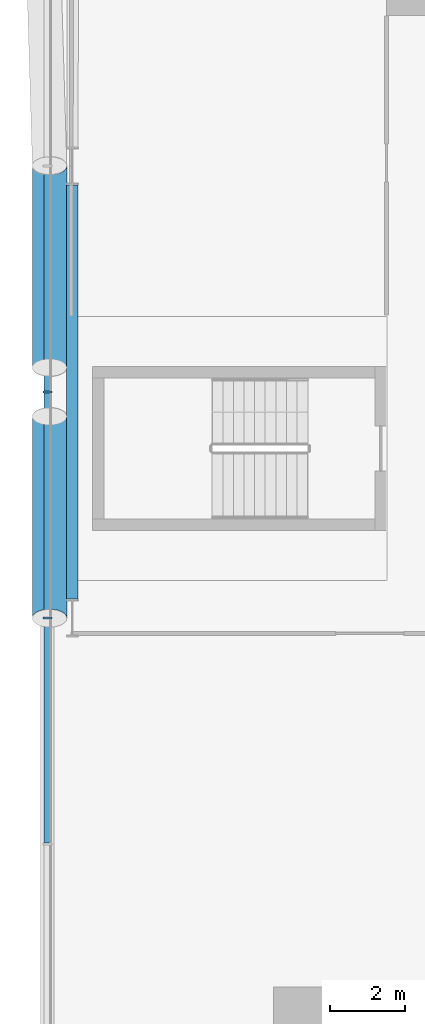
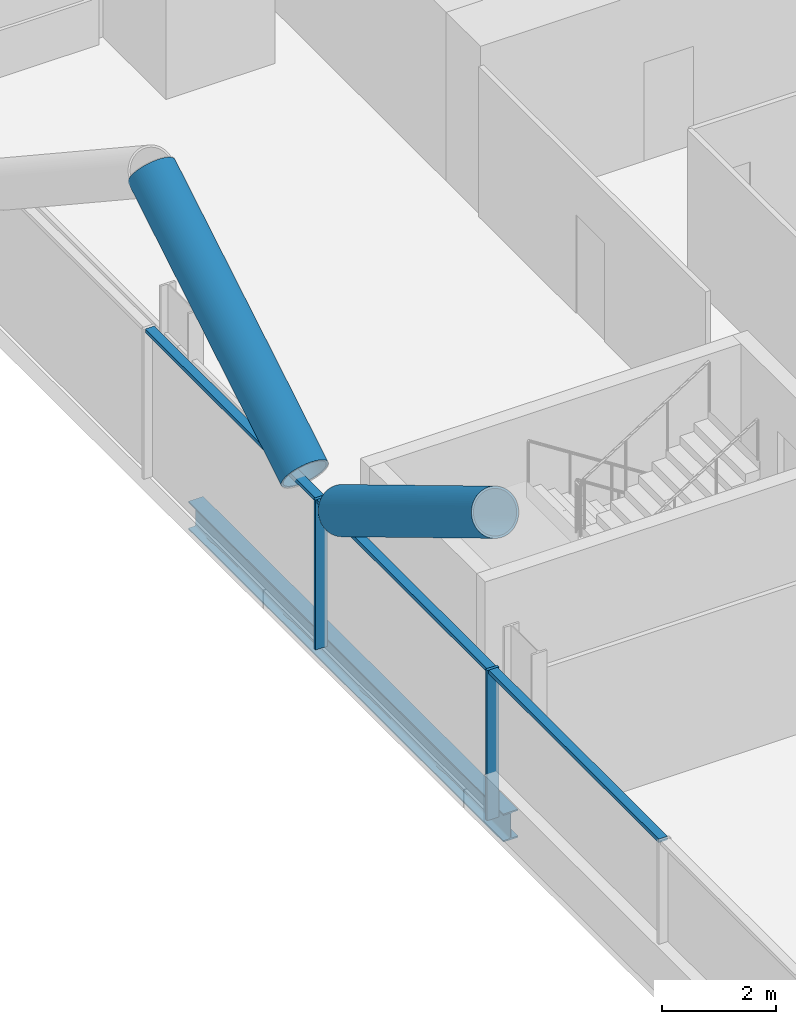
# One storey, part 5 of 27: 7 members, 1 beam, 1 element without a shape of its own.
"""IFC4 building model written with IfcOpenShell, lengths in metres."""

from ifc_helpers import new_model, si_unit, direction, frame, origin, origin_2d, place, context, subcontext, project, spatial, rectangle, hollow_circle, i_section, extrude, material, material_profile, profile_set, type_object, element, aggregate, save


model = new_model("IFC4")

# Units and contexts
model_context = context("Model", 3, precision=1e-05, world=origin(), true_north=direction((0.0, 1.0)))
body_context = subcontext(model_context, "Body", "Model", "MODEL_VIEW")
ifc_project = project(units=[si_unit("LENGTHUNIT", "METRE"), si_unit("AREAUNIT", "SQUARE_METRE"), si_unit("VOLUMEUNIT", "CUBIC_METRE"), si_unit("PLANEANGLEUNIT", "RADIAN"), si_unit("MASSUNIT", "GRAM", prefix="KILO")], contexts=[model_context])

# Site, building, storey
site_placement = place(None, origin())
site = spatial("IfcSite", under=ifc_project, at=site_placement, CompositionType="ELEMENT")
building_placement = place(site_placement, origin())
building = spatial("IfcBuilding", under=site, at=building_placement, Name="Wharfspan Tower", CompositionType="ELEMENT")
storey_placement = place(building_placement, frame((0.0, 0.0, 55.899902)))
storey = spatial("IfcBuildingStorey", under=building, at=storey_placement, Name="L10", CompositionType="ELEMENT", Elevation=55.899902)

# Beam
ifc_material_1 = material(Name="Steel S355J2", Category="steel")
ifc_material_profile_1 = material_profile(ifc_material_1, i_section(OverallWidth=0.300049, OverallDepth=0.600098, WebThickness=0.015381, FlangeThickness=0.030029, FilletRadius=0.0271, at=origin_2d()))
ifc_profile_set_1 = profile_set([ifc_material_profile_1], Name="Steel S355J2")
beam_type = type_object("IfcBeamType", Name="Edge beam HEB 600", PredefinedType="SPANDREL", material=ifc_profile_set_1)
beam_placement = place(storey_placement, frame((0.659912, 29.5, -0.699951), z_axis=(0.0, -1.0, 0.0), x_axis=(1.0, 0.0, 0.0)))
element("IfcBeam", 1, at=beam_placement, inside=storey, type_object=beam_type, Name="Edge beam W L10 PW.1 to PW.2", PredefinedType="SPANDREL", context=body_context, shape_type="SweptSolid", body=[
    extrude(i_section(OverallWidth=0.300049, OverallDepth=0.600098, WebThickness=0.015381, FlangeThickness=0.030029, FilletRadius=0.0271, at=origin_2d()), origin(), (0.0, 0.0, 1.0), 11.0),
])

# Curtain wall, members
ifc_material_2 = material(Name="Aluminium 6063-T6", Category="aluminium")
curtain_wall_type = type_object("IfcCurtainWallType", Name="CURTAIN WALL PROW AND END", PredefinedType="NOTDEFINED", material=ifc_material_2)
curtain_wall_placement = place(storey_placement, origin())
curtain_wall = element("IfcCurtainWall", 2, at=curtain_wall_placement, inside=storey, type_object=curtain_wall_type, Name="Curtain wall W", PredefinedType="NOTDEFINED")
ifc_material_profile_2 = material_profile(ifc_material_2, rectangle(XDim=0.23999, YDim=0.060059, at=origin_2d()))
ifc_profile_set_2 = profile_set([ifc_material_profile_2], Name="Aluminium 6063-T6")
member_type_1 = type_object("IfcMemberType", Name="MULLION PROW AND END 60x240", PredefinedType="MULLION", material=ifc_profile_set_2)
member_1_placement = place(storey_placement, frame((0.0, 24.0, 0.0), z_axis=(0.0, 0.0, 1.0), x_axis=(1.0, 0.0, 0.0)))
member_1 = element("IfcMember", 3, at=member_1_placement, type_object=member_type_1, Name="Curtain wall W mullion 4", PredefinedType="MULLION", context=body_context, shape_type="SweptSolid", body=[
    extrude(rectangle(XDim=0.23999, YDim=0.060059, at=origin_2d()), origin(), (0.0, 0.0, 1.0), 3.200195),
])
member_2_placement = place(storey_placement, frame((0.0, 18.0, 0.0), z_axis=(0.0, 0.0, 1.0), x_axis=(1.0, 0.0, 0.0)))
member_2 = element("IfcMember", 4, at=member_2_placement, type_object=member_type_1, Name="Curtain wall W mullion 5", PredefinedType="MULLION", context=body_context, shape_type="SweptSolid", body=[
    extrude(rectangle(XDim=0.23999, YDim=0.060059, at=origin_2d()), origin(), (0.0, 0.0, 1.0), 3.200195),
])

# Members
ifc_material_3 = material(Name="Steel S460NH", Category="steel")
ifc_material_profile_3 = material_profile(ifc_material_3, hollow_circle(Radius=0.457031, WallThickness=0.040039, at=origin_2d()))
ifc_profile_set_3 = profile_set([ifc_material_profile_3], Name="Steel S460NH")
member_type_2 = type_object("IfcMemberType", Name="Mega brace CHS 914x40", PredefinedType="BRACE", material=ifc_profile_set_3)
for number, where, z_axis, x_axis, name in (
    (5, (0.054932, 23.350098, 3.290039), (0.0, -0.8575, 0.514484), (1.0, 0.0, 0.0), "Mega brace W3 L10 part 2"),
    (6, (0.054932, 24.649902, 3.290039), (0.0, 0.8575, 0.514484), (-1.0, 0.0, 0.0), "Mega brace W3 L10 part 4"),
):
    element("IfcMember", number, at=place(storey_placement, frame(where, z_axis=z_axis, x_axis=x_axis)), inside=storey, type_object=member_type_2, Name=name, PredefinedType="BRACE", context=body_context, shape_type="SweptSolid", body=[
        extrude(hollow_circle(Radius=0.457031, WallThickness=0.040039, at=origin_2d()), origin(), (0.0, 0.0, 1.0), 6.239258),
    ])

# Member
ifc_material_profile_4 = material_profile(ifc_material_2, rectangle(XDim=0.179932, YDim=0.080078, at=origin_2d()))
ifc_profile_set_4 = profile_set([ifc_material_profile_4], Name="Aluminium 6063-T6")
member_type_3 = type_object("IfcMemberType", Name="TRANSOM PROW AND END 80x180", PredefinedType="USERDEFINED", material=ifc_profile_set_4)
member_3_placement = place(storey_placement, frame((0.0, 29.969971, 3.160156), z_axis=(0.0, -1.0, 0.0), x_axis=(1.0, 0.0, 0.0)))
member_3 = element("IfcMember", 7, at=member_3_placement, type_object=member_type_3, Name="Curtain wall W transom 3", ObjectType="TRANSOM", PredefinedType="USERDEFINED", context=body_context, shape_type="SweptSolid", body=[
    extrude(rectangle(XDim=0.179932, YDim=0.080078, at=origin_2d()), origin(), (0.0, 0.0, 1.0), 5.939941),
])

member_4_placement = place(storey_placement, frame((0.0, 23.969971, 3.160156), z_axis=(0.0, -1.0, 0.0), x_axis=(1.0, 0.0, 0.0)))
member_4 = element("IfcMember", 8, at=member_4_placement, type_object=member_type_3, Name="Curtain wall W transom 4", ObjectType="TRANSOM", PredefinedType="USERDEFINED", context=body_context, shape_type="SweptSolid", body=[
    extrude(rectangle(XDim=0.179932, YDim=0.080078, at=origin_2d()), origin(), (0.0, 0.0, 1.0), 5.939941),
])

member_5_placement = place(storey_placement, frame((0.0, 17.969971, 3.160156), z_axis=(0.0, -1.0, 0.0), x_axis=(1.0, 0.0, 0.0)))
member_5 = element("IfcMember", 9, at=member_5_placement, type_object=member_type_3, Name="Curtain wall W transom 5", ObjectType="TRANSOM", PredefinedType="USERDEFINED", context=body_context, shape_type="SweptSolid", body=[
    extrude(rectangle(XDim=0.179932, YDim=0.080078, at=origin_2d()), origin(), (0.0, 0.0, 1.0), 5.939941),
])

aggregate(curtain_wall, [member_1, member_2, member_3, member_4, member_5])

save(model, "model.ifc")
